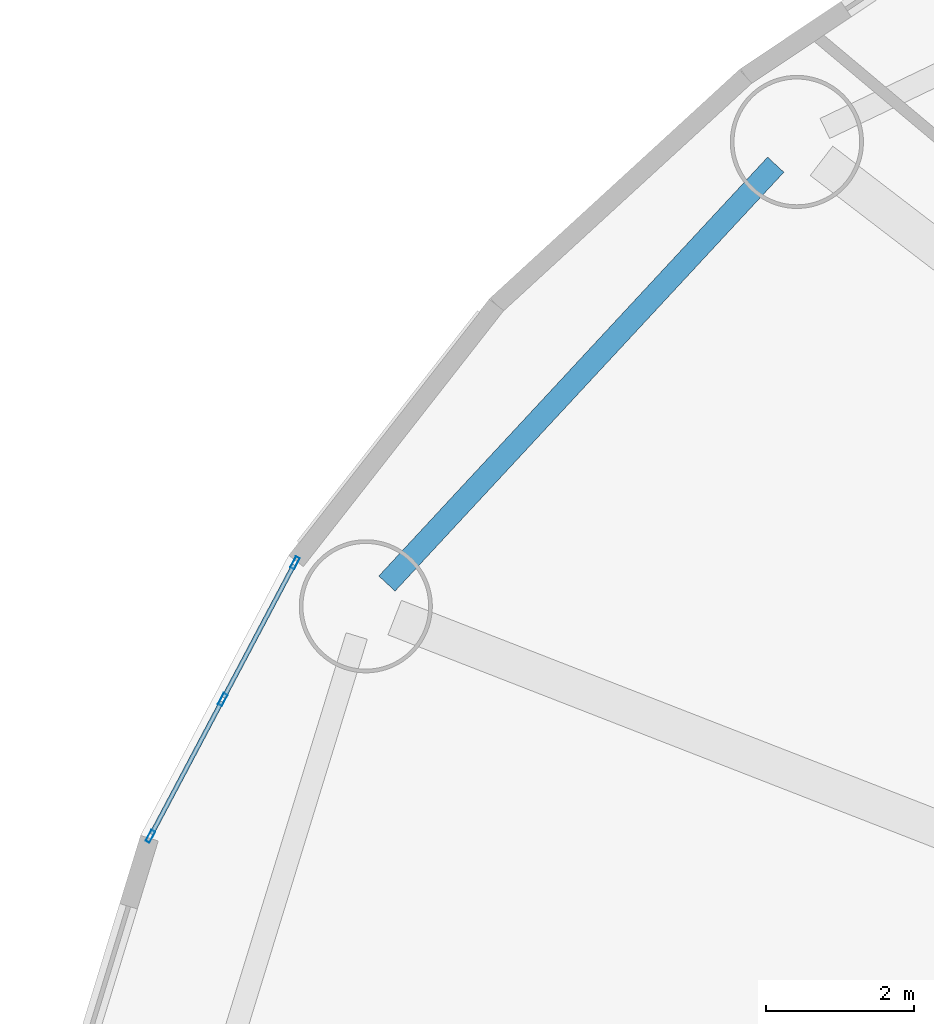
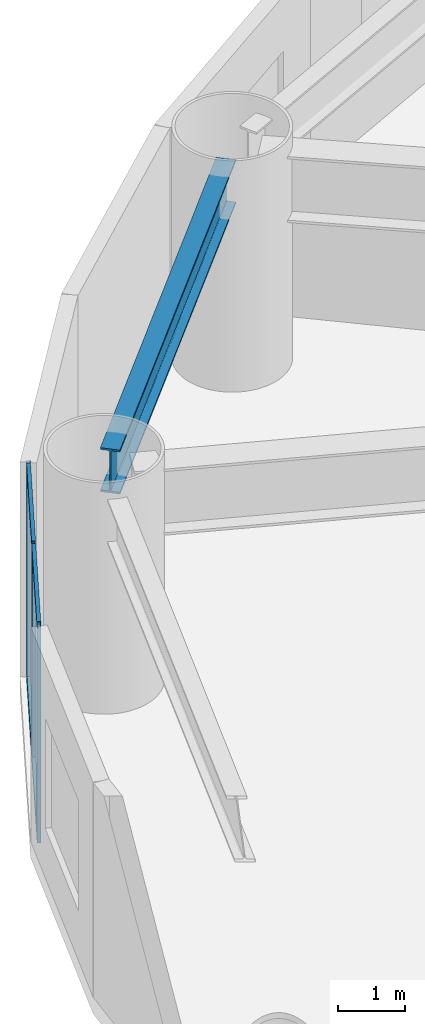
# One storey, part 8 of 27: 7 members, 1 beam, 1 element without a shape of its own.
"""IFC4 building model written with IfcOpenShell, lengths in metres."""

from ifc_helpers import new_model, si_unit, direction, frame, origin, origin_2d, place, context, subcontext, project, spatial, hollow_rectangle, i_section, extrude, source, transform, mapped, material, layer, layer_set, material_profile, profile_set, type_object, element, aggregate, save


model = new_model("IFC4")

# Units and contexts
model_context = context("Model", 3, precision=1e-05, world=origin(), true_north=direction((0.0, 1.0)))
body_context = subcontext(model_context, "Body", "Model", "MODEL_VIEW")
ifc_project = project(units=[si_unit("LENGTHUNIT", "METRE"), si_unit("AREAUNIT", "SQUARE_METRE"), si_unit("VOLUMEUNIT", "CUBIC_METRE"), si_unit("PLANEANGLEUNIT", "RADIAN"), si_unit("MASSUNIT", "GRAM", prefix="KILO")], contexts=[model_context])

# Site, building, storey
site_placement = place(None, origin())
site = spatial("IfcSite", under=ifc_project, at=site_placement, CompositionType="ELEMENT")
building_placement = place(site_placement, origin())
building = spatial("IfcBuilding", under=site, at=building_placement, Name="Linh Dai School and Residence Tower", CompositionType="ELEMENT")
storey_placement = place(building_placement, frame((0.0, 0.0, 22.800048828125)))
storey = spatial("IfcBuildingStorey", under=building, at=storey_placement, Name="L05", CompositionType="ELEMENT", Elevation=22.800048828125)

# Beam
ifc_material_1 = material(Name="Structural Steel S355JR", Category="steel")
ifc_material_profile_1 = material_profile(ifc_material_1, i_section(OverallWidth=0.300048828125, OverallDepth=0.800048828125, WebThickness=0.017578125, FlangeThickness=0.032958984375, FilletRadius=0.030029296875, at=origin_2d()), Name="HEB 800")
ifc_profile_set_1 = profile_set([ifc_material_profile_1], Name="Structural Steel S355JR")
beam_type = type_object("IfcBeamType", Name="BM-RG8", PredefinedType="BEAM", material=ifc_profile_set_1)
beam_placement = place(storey_placement, frame((13.009033203125, 44.0927734375, 3.5), z_axis=(-0.680345653715, -0.73289139132, 0.0), x_axis=(0.73289139132, -0.680345653715, 0.0)))
element("IfcBeam", 1, at=beam_placement, inside=storey, type_object=beam_type, Name="L05 Perimeter Elliptical Ring Beam 07", PredefinedType="BEAM", context=body_context, shape_type="SweptSolid", body=[
    extrude(i_section(OverallWidth=0.300048828125, OverallDepth=0.800048828125, WebThickness=0.017578125, FlangeThickness=0.032958984375, FilletRadius=0.030029296875, at=origin_2d()), origin(), (0.0, 0.0, 1.0), 7.726806640625),
])

# Curtain wall, members
ifc_material_2 = material(Name="Aluminium Anodised Curtain Wall", Category="aluminium")
ifc_layer = layer(ifc_material_2, 0.169921875)
ifc_layer_set = layer_set([ifc_layer], Name="Aluminium Anodised Curtain Wall")
curtain_wall_type = type_object("IfcCurtainWallType", Name="CW-SYS-2", PredefinedType="USERDEFINED", material=ifc_layer_set)
curtain_wall_placement = place(storey_placement, origin())
curtain_wall = element("IfcCurtainWall", 2, at=curtain_wall_placement, inside=storey, type_object=curtain_wall_type, Name="L05 CW2 Curtain Wall 18", ObjectType="UNITISED CURTAIN WALL", PredefinedType="USERDEFINED")
ifc_material_3 = material(Name="Aluminium Alloy 6063-T6", Category="aluminium")
ifc_material_profile_2 = material_profile(ifc_material_3, hollow_rectangle(XDim=0.06005859375, YDim=0.169921875, WallThickness=0.00390625, at=origin_2d()), Name="RHS 170x60x4")
ifc_profile_set_2 = profile_set([ifc_material_profile_2], Name="Aluminium Alloy 6063-T6")
member_type_1 = type_object("IfcMemberType", Name="CW-SYS-2-MUL", PredefinedType="MULLION", material=ifc_profile_set_2)
shared_shape_1 = source(origin(), body_context, "Body", "SweptSolid", [
    extrude(hollow_rectangle(XDim=0.06005859375, YDim=0.169921875, WallThickness=0.00390625, at=origin_2d()), origin(), (0.0, 0.0, 1.0), 3.89990234375),
])
member_1_placement = place(storey_placement, frame((4.554443359375, 35.012939453125, 0.0), z_axis=(0.0, 0.0, 1.0), x_axis=(-0.883963927118, 0.467555104298, 0.0)))
member_1 = element("IfcMember", 3, at=member_1_placement, type_object=member_type_1, Name="CW2 mullion 1", PredefinedType="MULLION", context=body_context, shape_type="MappedRepresentation", body=[
    mapped(shared_shape_1, transform((0.0, 0.0, 0.0), x_axis=(1.0, 0.0, 0.0), y_axis=(0.0, 1.0, 0.0), z_axis=(0.0, 0.0, 1.0), scale=1.0)),
])
member_2_placement = place(storey_placement, frame((5.531982421875, 36.861083984375, 0.0), z_axis=(0.0, 0.0, 1.0), x_axis=(-0.883963927118, 0.467555104298, 0.0)))
member_2 = element("IfcMember", 4, at=member_2_placement, type_object=member_type_1, Name="CW2 mullion 2", PredefinedType="MULLION", context=body_context, shape_type="MappedRepresentation", body=[
    mapped(shared_shape_1, transform((0.0, 0.0, 0.0), x_axis=(1.0, 0.0, 0.0), y_axis=(0.0, 1.0, 0.0), z_axis=(0.0, 0.0, 1.0), scale=1.0)),
])
member_3_placement = place(storey_placement, frame((6.50927734375, 38.708984375, 0.0), z_axis=(0.0, 0.0, 1.0), x_axis=(-0.883963927118, 0.467555104298, 0.0)))
member_3 = element("IfcMember", 5, at=member_3_placement, type_object=member_type_1, Name="CW2 mullion 3", PredefinedType="MULLION", context=body_context, shape_type="MappedRepresentation", body=[
    mapped(shared_shape_1, transform((0.0, 0.0, 0.0), x_axis=(1.0, 0.0, 0.0), y_axis=(0.0, 1.0, 0.0), z_axis=(0.0, 0.0, 1.0), scale=1.0)),
])
ifc_material_profile_3 = material_profile(ifc_material_3, hollow_rectangle(XDim=0.06005859375, YDim=0.1298828125, WallThickness=0.00390625, at=origin_2d()), Name="RHS 130x60x4")
ifc_profile_set_3 = profile_set([ifc_material_profile_3], Name="Aluminium Alloy 6063-T6")
member_type_2 = type_object("IfcMemberType", Name="CW-SYS-2-TRN", PredefinedType="USERDEFINED", material=ifc_profile_set_3)
shared_shape_2 = source(origin(), body_context, "Body", "SweptSolid", [
    extrude(hollow_rectangle(XDim=0.06005859375, YDim=0.1298828125, WallThickness=0.00390625, at=origin_2d()), origin(), (0.0, 0.0, 1.0), 2.030517578125),
])
member_4_placement = place(storey_placement, frame((4.568359375, 35.03955078125, 0.030029296875), z_axis=(0.467583862208, 0.883948715596, 0.0), x_axis=(-0.883948715596, 0.467583862208, 0.0)))
member_4 = element("IfcMember", 6, at=member_4_placement, type_object=member_type_2, Name="CW2 transom 1.1", ObjectType="TRANSOM", PredefinedType="USERDEFINED", context=body_context, shape_type="MappedRepresentation", body=[
    mapped(shared_shape_2, transform((0.0, 0.0, 0.0), x_axis=(1.0, 0.0, 0.0), y_axis=(0.0, 1.0, 0.0), z_axis=(0.0, 0.0, 1.0), scale=1.0)),
])
member_5_placement = place(storey_placement, frame((4.568359375, 35.03955078125, 3.869873046875), z_axis=(0.467583862208, 0.883948715596, 0.0), x_axis=(-0.883948715596, 0.467583862208, 0.0)))
member_5 = element("IfcMember", 7, at=member_5_placement, type_object=member_type_2, Name="CW2 transom 1.2", ObjectType="TRANSOM", PredefinedType="USERDEFINED", context=body_context, shape_type="MappedRepresentation", body=[
    mapped(shared_shape_2, transform((0.0, 0.0, 0.0), x_axis=(1.0, 0.0, 0.0), y_axis=(0.0, 1.0, 0.0), z_axis=(0.0, 0.0, 1.0), scale=1.0)),
])
member_6_placement = place(storey_placement, frame((5.5458984375, 36.8876953125, 0.030029296875), z_axis=(0.467583862208, 0.883948715596, 0.0), x_axis=(-0.883948715596, 0.467583862208, 0.0)))
member_6 = element("IfcMember", 8, at=member_6_placement, type_object=member_type_2, Name="CW2 transom 2.1", ObjectType="TRANSOM", PredefinedType="USERDEFINED", context=body_context, shape_type="MappedRepresentation", body=[
    mapped(shared_shape_2, transform((0.0, 0.0, 0.0), x_axis=(1.0, 0.0, 0.0), y_axis=(0.0, 1.0, 0.0), z_axis=(0.0, 0.0, 1.0), scale=1.0)),
])
member_7_placement = place(storey_placement, frame((5.5458984375, 36.8876953125, 3.869873046875), z_axis=(0.467583862208, 0.883948715596, 0.0), x_axis=(-0.883948715596, 0.467583862208, 0.0)))
member_7 = element("IfcMember", 9, at=member_7_placement, type_object=member_type_2, Name="CW2 transom 2.2", ObjectType="TRANSOM", PredefinedType="USERDEFINED", context=body_context, shape_type="MappedRepresentation", body=[
    mapped(shared_shape_2, transform((0.0, 0.0, 0.0), x_axis=(1.0, 0.0, 0.0), y_axis=(0.0, 1.0, 0.0), z_axis=(0.0, 0.0, 1.0), scale=1.0)),
])
aggregate(curtain_wall, [member_1, member_2, member_3, member_4, member_5, member_6, member_7])

save(model, "model.ifc")
